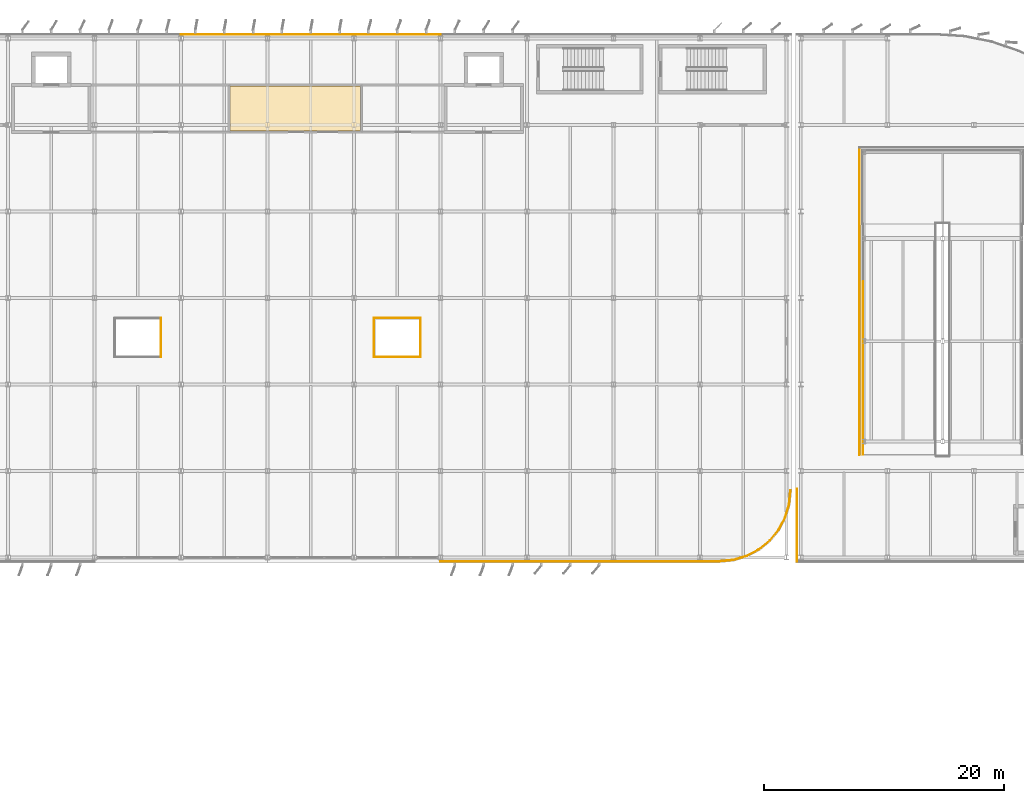
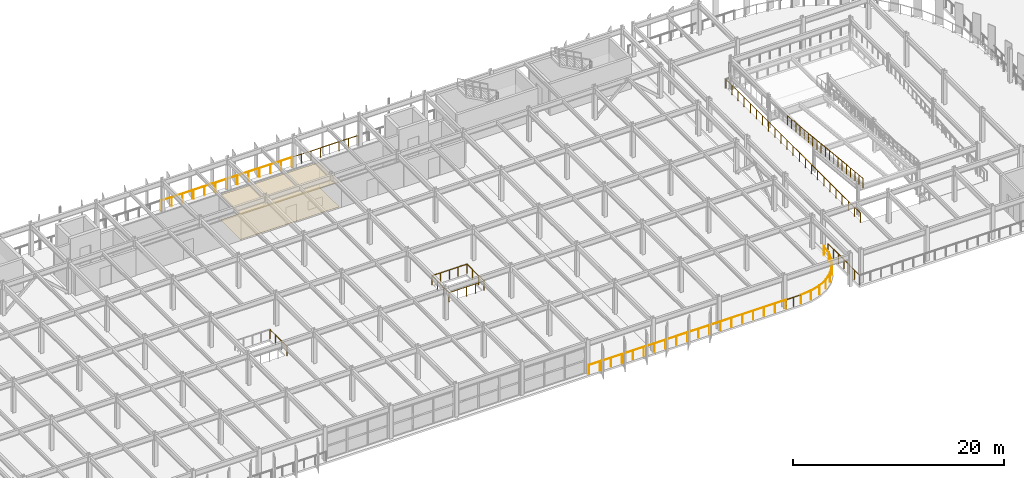
# One storey, part 46 of 52: 25 railings, 2 coverings.
"""IFC4 building model written with IfcOpenShell, lengths in metres."""

from ifc_helpers import new_model, si_unit, direction, frame, origin, origin_2d, place, context, subcontext, project, spatial, polyline, circle, outline, extrude, material, layer, layer_set, type_object, element, save


model = new_model("IFC4")

# Units and contexts
model_context = context("Model", 3, precision=1e-05, world=origin(), true_north=direction((0.0, 1.0)))
body_context = subcontext(model_context, "Body", "Model", "MODEL_VIEW")
ifc_project = project(units=[si_unit("LENGTHUNIT", "METRE"), si_unit("AREAUNIT", "SQUARE_METRE"), si_unit("VOLUMEUNIT", "CUBIC_METRE"), si_unit("PLANEANGLEUNIT", "RADIAN"), si_unit("MASSUNIT", "GRAM", prefix="KILO")], contexts=[model_context])

# Site, building, storey
site_placement = place(None, origin())
site = spatial("IfcSite", under=ifc_project, at=site_placement, CompositionType="ELEMENT")
building_placement = place(site_placement, origin())
building = spatial("IfcBuilding", under=site, at=building_placement, Name="Vaelcorin Mobility Hub", CompositionType="ELEMENT")
storey_placement = place(building_placement, frame((0.0, 0.0, 13.199951171875)))
storey = spatial("IfcBuildingStorey", under=building, at=storey_placement, Name="L03", CompositionType="ELEMENT", Elevation=13.199951171875)

# Coverings
ifc_material_1 = material(Name="Perforated acoustic mineral-fibre ceiling tile")
ifc_layer_1 = layer(ifc_material_1, 0.0380859375)
ifc_layer_set_1 = layer_set([ifc_layer_1], Name="Perforated acoustic mineral-fibre ceiling tile")
covering_type_1 = type_object("IfcCoveringType", Name="COV-CEIL-4", PredefinedType="CEILING", material=ifc_layer_set_1)
covering_1_placement = place(storey_placement, frame((0.0, 0.0, 2.8779296875)))
element("IfcCovering", 1, at=covering_1_placement, inside=storey, type_object=covering_type_1, Name="Roof-Bridge Sky Waiting Lounge Acoustic Ceiling", PredefinedType="CEILING", context=body_context, shape_type="SweptSolid", body=[
    extrude(outline(polyline([(76.139892578125, 112.280029296875), (76.134033203125, 112.280029296875), (76.1279296875, 112.281005859375), (76.123046875, 112.282958984375), (76.116943359375, 112.284912109375), (76.112060546875, 112.287109375), (76.10693359375, 112.2900390625), (76.10205078125, 112.2939453125), (76.097900390625, 112.298095703125), (76.093994140625, 112.302001953125), (76.090087890625, 112.306884765625), (76.0869140625, 112.31201171875), (76.0849609375, 112.31689453125), (76.0830078125, 112.322998046875), (76.0810546875, 112.327880859375), (76.080078125, 112.333984375), (76.080078125, 112.340087890625), (76.080078125, 115.985107421875), (76.080078125, 115.990966796875), (76.0810546875, 115.9970703125), (76.0830078125, 116.001953125), (76.0849609375, 116.008056640625), (76.0869140625, 116.012939453125), (76.090087890625, 116.01806640625), (76.093994140625, 116.02294921875), (76.097900390625, 116.027099609375), (76.10205078125, 116.031005859375), (76.10693359375, 116.034912109375), (76.112060546875, 116.0380859375), (76.116943359375, 116.0400390625), (76.123046875, 116.0419921875), (76.1279296875, 116.0439453125), (76.134033203125, 116.044921875), (76.139892578125, 116.044921875), (86.860107421875, 116.044921875), (86.865966796875, 116.044921875), (86.8720703125, 116.0439453125), (86.876953125, 116.0419921875), (86.883056640625, 116.0400390625), (86.887939453125, 116.0380859375), (86.89306640625, 116.034912109375), (86.89794921875, 116.031005859375), (86.902099609375, 116.027099609375), (86.906005859375, 116.02294921875), (86.909912109375, 116.01806640625), (86.9130859375, 116.012939453125), (86.9150390625, 116.008056640625), (86.9169921875, 116.001953125), (86.9189453125, 115.9970703125), (86.919921875, 115.990966796875), (86.919921875, 115.985107421875), (86.919921875, 112.340087890625), (86.919921875, 112.333984375), (86.9189453125, 112.327880859375), (86.9169921875, 112.322998046875), (86.9150390625, 112.31689453125), (86.9130859375, 112.31201171875), (86.909912109375, 112.306884765625), (86.906005859375, 112.302001953125), (86.902099609375, 112.298095703125), (86.89794921875, 112.2939453125), (86.89306640625, 112.2900390625), (86.887939453125, 112.287109375), (86.883056640625, 112.284912109375), (86.876953125, 112.282958984375), (86.8720703125, 112.281005859375), (86.865966796875, 112.280029296875), (86.860107421875, 112.280029296875), (76.139892578125, 112.280029296875)])), origin(), (0.0, 0.0, 1.0), 0.0380859375),
])
ifc_material_2 = material(Name="Polished epoxy-terrazzo concourse flooring")
ifc_layer_2 = layer(ifc_material_2, 0.02587890625)
ifc_layer_set_2 = layer_set([ifc_layer_2], Name="Polished epoxy-terrazzo concourse flooring")
covering_type_2 = type_object("IfcCoveringType", Name="COV-FLR-2", PredefinedType="FLOORING", material=ifc_layer_set_2)
covering_2_placement = place(storey_placement, origin())
element("IfcCovering", 2, at=covering_2_placement, inside=storey, type_object=covering_type_2, Name="Roof-Bridge Sky Waiting Lounge Finish Flooring", PredefinedType="FLOORING", context=body_context, shape_type="SweptSolid", body=[
    extrude(outline(polyline([(76.139892578125, 112.280029296875), (76.134033203125, 112.280029296875), (76.1279296875, 112.281005859375), (76.123046875, 112.282958984375), (76.116943359375, 112.284912109375), (76.112060546875, 112.287109375), (76.10693359375, 112.2900390625), (76.10205078125, 112.2939453125), (76.097900390625, 112.298095703125), (76.093994140625, 112.302001953125), (76.090087890625, 112.306884765625), (76.0869140625, 112.31201171875), (76.0849609375, 112.31689453125), (76.0830078125, 112.322998046875), (76.0810546875, 112.327880859375), (76.080078125, 112.333984375), (76.080078125, 112.340087890625), (76.080078125, 115.985107421875), (76.080078125, 115.990966796875), (76.0810546875, 115.9970703125), (76.0830078125, 116.001953125), (76.0849609375, 116.008056640625), (76.0869140625, 116.012939453125), (76.090087890625, 116.01806640625), (76.093994140625, 116.02294921875), (76.097900390625, 116.027099609375), (76.10205078125, 116.031005859375), (76.10693359375, 116.034912109375), (76.112060546875, 116.0380859375), (76.116943359375, 116.0400390625), (76.123046875, 116.0419921875), (76.1279296875, 116.0439453125), (76.134033203125, 116.044921875), (76.139892578125, 116.044921875), (86.860107421875, 116.044921875), (86.865966796875, 116.044921875), (86.8720703125, 116.0439453125), (86.876953125, 116.0419921875), (86.883056640625, 116.0400390625), (86.887939453125, 116.0380859375), (86.89306640625, 116.034912109375), (86.89794921875, 116.031005859375), (86.902099609375, 116.027099609375), (86.906005859375, 116.02294921875), (86.909912109375, 116.01806640625), (86.9130859375, 116.012939453125), (86.9150390625, 116.008056640625), (86.9169921875, 116.001953125), (86.9189453125, 115.9970703125), (86.919921875, 115.990966796875), (86.919921875, 115.985107421875), (86.919921875, 112.340087890625), (86.919921875, 112.333984375), (86.9189453125, 112.327880859375), (86.9169921875, 112.322998046875), (86.9150390625, 112.31689453125), (86.9130859375, 112.31201171875), (86.909912109375, 112.306884765625), (86.906005859375, 112.302001953125), (86.902099609375, 112.298095703125), (86.89794921875, 112.2939453125), (86.89306640625, 112.2900390625), (86.887939453125, 112.287109375), (86.883056640625, 112.284912109375), (86.876953125, 112.282958984375), (86.8720703125, 112.281005859375), (86.865966796875, 112.280029296875), (86.860107421875, 112.280029296875), (76.139892578125, 112.280029296875)])), origin(), (0.0, 0.0, 1.0), 0.026123046875),
])

# Railings
ifc_material_3 = material(Name="Galvanised structural steel ASTM A36", Category="steel")
ifc_layer_3 = layer(ifc_material_3, 0.070068359375)
ifc_layer_set_3 = layer_set([ifc_layer_3], Name="Galvanised structural steel ASTM A36")
railing_type = type_object("IfcRailingType", Name="RL-GUARD-1100", PredefinedType="BALUSTRADE", material=ifc_layer_set_3)
for number, where, name in (
    (3, (72.0, 120.330078125, 0.0), "L03 Perimeter Guard GR-V4-L03-N-06-01"),
    (4, (79.199951171875, 120.330078125, 0.0), "L03 Perimeter Guard GR-V4-L03-N-07-01"),
):
    element("IfcRailing", number, at=place(storey_placement, frame(where)), inside=storey, type_object=railing_type, Name=name, PredefinedType="BALUSTRADE", context=body_context, shape_type="SweptSolid", body=[
        extrude(circle(Radius=0.02392578125, at=origin_2d()), frame((0.0, 0.0, 1.076171875), z_axis=(1.0, 0.0, 0.0), x_axis=(0.0, 1.0, 0.0)), (0.0, 0.0, 1.0), 7.199951171875),
        extrude(circle(Radius=0.02099609375, at=origin_2d()), origin(), (0.0, 0.0, 1.0), 1.052001953125),
        extrude(circle(Radius=0.02099609375, at=origin_2d()), frame((1.199951171875, 0.0, 0.0)), (0.0, 0.0, 1.0), 1.052001953125),
        extrude(circle(Radius=0.02099609375, at=origin_2d()), frame((2.39990234375, 0.0, 0.0)), (0.0, 0.0, 1.0), 1.052001953125),
        extrude(circle(Radius=0.02099609375, at=origin_2d()), frame((3.60009765625, 0.0, 0.0)), (0.0, 0.0, 1.0), 1.052001953125),
        extrude(circle(Radius=0.02099609375, at=origin_2d()), frame((4.800048828125, 0.0, 0.0)), (0.0, 0.0, 1.0), 1.052001953125),
        extrude(circle(Radius=0.02099609375, at=origin_2d()), frame((6.0, 0.0, 0.0)), (0.0, 0.0, 1.0), 1.052001953125),
        extrude(circle(Radius=0.02099609375, at=origin_2d()), frame((7.199951171875, 0.0, 0.0)), (0.0, 0.0, 1.0), 1.052001953125),
    ])
railing_1_placement = place(storey_placement, frame((86.39990234375, 120.330078125, 0.0)))
element("IfcRailing", 5, at=railing_1_placement, inside=storey, type_object=railing_type, Name="L03 Perimeter Guard GR-V4-L03-N-08-01", PredefinedType="BALUSTRADE", context=body_context, shape_type="SweptSolid", body=[
    extrude(circle(Radius=0.02392578125, at=origin_2d()), frame((0.0, 0.0, 1.076171875), z_axis=(1.0, 0.0, 0.0), x_axis=(0.0, 1.0, 0.0)), (0.0, 0.0, 1.0), 7.2001953125),
    extrude(circle(Radius=0.02099609375, at=origin_2d()), origin(), (0.0, 0.0, 1.0), 1.052001953125),
    extrude(circle(Radius=0.02099609375, at=origin_2d()), frame((1.028564453125, 0.0, 0.0)), (0.0, 0.0, 1.0), 1.052001953125),
    extrude(circle(Radius=0.02099609375, at=origin_2d()), frame((2.05712890625, 0.0, 0.0)), (0.0, 0.0, 1.0), 1.052001953125),
    extrude(circle(Radius=0.02099609375, at=origin_2d()), frame((3.085693359375, 0.0, 0.0)), (0.0, 0.0, 1.0), 1.052001953125),
    extrude(circle(Radius=0.02099609375, at=origin_2d()), frame((4.114501953125, 0.0, 0.0)), (0.0, 0.0, 1.0), 1.052001953125),
    extrude(circle(Radius=0.02099609375, at=origin_2d()), frame((5.14306640625, 0.0, 0.0)), (0.0, 0.0, 1.0), 1.052001953125),
    extrude(circle(Radius=0.02099609375, at=origin_2d()), frame((6.171630859375, 0.0, 0.0)), (0.0, 0.0, 1.0), 1.052001953125),
    extrude(circle(Radius=0.02099609375, at=origin_2d()), frame((7.2001953125, 0.0, 0.0)), (0.0, 0.0, 1.0), 1.052001953125),
])
for number, where, name in (
    (6, (93.60009765625, 76.469970703125, 0.0), "L03 Perimeter Guard GR-V4-L03-S-09-01"),
    (7, (100.800048828125, 76.469970703125, 0.0), "L03 Perimeter Guard GR-V4-L03-S-10-01"),
    (8, (108.0, 76.469970703125, 0.0), "L03 Perimeter Guard GR-V4-L03-S-11-01"),
):
    element("IfcRailing", number, at=place(storey_placement, frame(where)), inside=storey, type_object=railing_type, Name=name, PredefinedType="BALUSTRADE", context=body_context, shape_type="SweptSolid", body=[
        extrude(circle(Radius=0.02392578125, at=origin_2d()), frame((0.0, 0.0, 1.076171875), z_axis=(1.0, 0.0, 0.0), x_axis=(0.0, 1.0, 0.0)), (0.0, 0.0, 1.0), 7.199951171875),
        extrude(circle(Radius=0.02099609375, at=origin_2d()), origin(), (0.0, 0.0, 1.0), 1.052001953125),
        extrude(circle(Radius=0.02099609375, at=origin_2d()), frame((1.199951171875, 0.0, 0.0)), (0.0, 0.0, 1.0), 1.052001953125),
        extrude(circle(Radius=0.02099609375, at=origin_2d()), frame((2.39990234375, 0.0, 0.0)), (0.0, 0.0, 1.0), 1.052001953125),
        extrude(circle(Radius=0.02099609375, at=origin_2d()), frame((3.60009765625, 0.0, 0.0)), (0.0, 0.0, 1.0), 1.052001953125),
        extrude(circle(Radius=0.02099609375, at=origin_2d()), frame((4.800048828125, 0.0, 0.0)), (0.0, 0.0, 1.0), 1.052001953125),
        extrude(circle(Radius=0.02099609375, at=origin_2d()), frame((6.0, 0.0, 0.0)), (0.0, 0.0, 1.0), 1.052001953125),
        extrude(circle(Radius=0.02099609375, at=origin_2d()), frame((7.199951171875, 0.0, 0.0)), (0.0, 0.0, 1.0), 1.052001953125),
    ])
railing_2_placement = place(storey_placement, frame((115.199951171875, 76.469970703125, 0.0)))
element("IfcRailing", 9, at=railing_2_placement, inside=storey, type_object=railing_type, Name="L03 Perimeter Guard GR-V4-L03-S-12-01", PredefinedType="BALUSTRADE", context=body_context, shape_type="SweptSolid", body=[
    extrude(circle(Radius=0.02392578125, at=origin_2d()), frame((0.0, 0.0, 1.076171875), z_axis=(1.0, 0.0, 0.0), x_axis=(0.0, 1.0, 0.0)), (0.0, 0.0, 1.0), 1.650146484375),
    extrude(circle(Radius=0.02099609375, at=origin_2d()), origin(), (0.0, 0.0, 1.0), 1.052001953125),
    extrude(circle(Radius=0.02099609375, at=origin_2d()), frame((0.8251953125, 0.0, 0.0)), (0.0, 0.0, 1.0), 1.052001953125),
    extrude(circle(Radius=0.02099609375, at=origin_2d()), frame((1.650146484375, 0.0, 0.0)), (0.0, 0.0, 1.0), 1.052001953125),
])
railing_3_placement = place(storey_placement, frame((116.85009765625, 76.469970703125, 0.0)))
element("IfcRailing", 10, at=railing_3_placement, inside=storey, type_object=railing_type, Name="L03 Perimeter Guard GR-V4-L03-S-12-02", PredefinedType="BALUSTRADE", context=body_context, shape_type="SweptSolid", body=[
    extrude(circle(Radius=0.02392578125, at=origin_2d()), frame((0.0, 0.0, 1.076171875), z_axis=(0.995178786561, 0.098077432562, 0.0), x_axis=(-0.098077432562, 0.995178786561, 0.0)), (0.0, 0.0, 1.0), 1.152587890625),
    extrude(circle(Radius=0.02099609375, at=origin_2d()), origin(), (0.0, 0.0, 1.0), 1.052001953125),
    extrude(circle(Radius=0.02099609375, at=origin_2d()), frame((1.14697265625, 0.113037109375, 0.0)), (0.0, 0.0, 1.0), 1.052001953125),
])
railing_4_placement = place(storey_placement, frame((117.9970703125, 76.5830078125, 0.0)))
element("IfcRailing", 11, at=railing_4_placement, inside=storey, type_object=railing_type, Name="L03 Perimeter Guard GR-V4-L03-S-12-03", PredefinedType="BALUSTRADE", context=body_context, shape_type="SweptSolid", body=[
    extrude(circle(Radius=0.02392578125, at=origin_2d()), frame((0.0, 0.0, 1.076171875), z_axis=(0.956853241075, 0.290571634961, 0.0), x_axis=(-0.290571634961, 0.956853241075, 0.0)), (0.0, 0.0, 1.0), 1.15283203125),
    extrude(circle(Radius=0.02099609375, at=origin_2d()), origin(), (0.0, 0.0, 1.0), 1.052001953125),
    extrude(circle(Radius=0.02099609375, at=origin_2d()), frame((1.10302734375, 0.3349609375, 0.0)), (0.0, 0.0, 1.0), 1.052001953125),
])
railing_5_placement = place(storey_placement, frame((119.10009765625, 76.91796875, 0.0)))
element("IfcRailing", 12, at=railing_5_placement, inside=storey, type_object=railing_type, Name="L03 Perimeter Guard GR-V4-L03-S-12-04", PredefinedType="BALUSTRADE", context=body_context, shape_type="SweptSolid", body=[
    extrude(circle(Radius=0.02392578125, at=origin_2d()), frame((0.0, 0.0, 1.076171875), z_axis=(0.882118320208, 0.471027885749, 0.0), x_axis=(-0.471027885749, 0.882118320208, 0.0)), (0.0, 0.0, 1.0), 1.15283203125),
    extrude(circle(Radius=0.02099609375, at=origin_2d()), origin(), (0.0, 0.0, 1.0), 1.052001953125),
    extrude(circle(Radius=0.02099609375, at=origin_2d()), frame((1.016845703125, 0.54296875, 0.0)), (0.0, 0.0, 1.0), 1.052001953125),
])
railing_6_placement = place(storey_placement, frame((120.116943359375, 77.4609375, 0.0)))
element("IfcRailing", 13, at=railing_6_placement, inside=storey, type_object=railing_type, Name="L03 Perimeter Guard GR-V4-L03-S-12-05", PredefinedType="BALUSTRADE", context=body_context, shape_type="SweptSolid", body=[
    extrude(circle(Radius=0.02392578125, at=origin_2d()), frame((0.0, 0.0, 1.076171875), z_axis=(0.773163919145, 0.63420623943, 0.0), x_axis=(-0.63420623943, 0.773163919145, 0.0)), (0.0, 0.0, 1.0), 1.152587890625),
    extrude(circle(Radius=0.02099609375, at=origin_2d()), origin(), (0.0, 0.0, 1.0), 1.052001953125),
    extrude(circle(Radius=0.02099609375, at=origin_2d()), frame((0.89111328125, 0.73095703125, 0.0)), (0.0, 0.0, 1.0), 1.052001953125),
])
railing_7_placement = place(storey_placement, frame((121.008056640625, 78.19189453125, 0.0)))
element("IfcRailing", 14, at=railing_7_placement, inside=storey, type_object=railing_type, Name="L03 Perimeter Guard GR-V4-L03-S-12-06", PredefinedType="BALUSTRADE", context=body_context, shape_type="SweptSolid", body=[
    extrude(circle(Radius=0.02392578125, at=origin_2d()), frame((0.0, 0.0, 1.076171875), z_axis=(0.63420623943, 0.773163919145, 0.0), x_axis=(-0.773163919145, 0.63420623943, 0.0)), (0.0, 0.0, 1.0), 1.152587890625),
    extrude(circle(Radius=0.02099609375, at=origin_2d()), origin(), (0.0, 0.0, 1.0), 1.052001953125),
    extrude(circle(Radius=0.02099609375, at=origin_2d()), frame((0.73095703125, 0.89111328125, 0.0)), (0.0, 0.0, 1.0), 1.052001953125),
])
railing_8_placement = place(storey_placement, frame((121.739013671875, 79.0830078125, 0.0)))
element("IfcRailing", 15, at=railing_8_placement, inside=storey, type_object=railing_type, Name="L03 Perimeter Guard GR-V4-L03-S-12-07", PredefinedType="BALUSTRADE", context=body_context, shape_type="SweptSolid", body=[
    extrude(circle(Radius=0.02392578125, at=origin_2d()), frame((0.0, 0.0, 1.076171875), z_axis=(0.470939899312, 0.882165297003, 0.0), x_axis=(-0.882165297003, 0.470939899312, 0.0)), (0.0, 0.0, 1.0), 1.15283203125),
    extrude(circle(Radius=0.02099609375, at=origin_2d()), origin(), (0.0, 0.0, 1.0), 1.052001953125),
    extrude(circle(Radius=0.02099609375, at=origin_2d()), frame((0.54296875, 1.01708984375, 0.0)), (0.0, 0.0, 1.0), 1.052001953125),
])
railing_9_placement = place(storey_placement, frame((122.281982421875, 80.10009765625, 0.0)))
element("IfcRailing", 16, at=railing_9_placement, inside=storey, type_object=railing_type, Name="L03 Perimeter Guard GR-V4-L03-S-12-08", PredefinedType="BALUSTRADE", context=body_context, shape_type="SweptSolid", body=[
    extrude(circle(Radius=0.02392578125, at=origin_2d()), frame((0.0, 0.0, 1.076171875), z_axis=(0.290630530394, 0.956835354073, 0.0), x_axis=(-0.956835354073, 0.290630530394, 0.0)), (0.0, 0.0, 1.0), 1.152587890625),
    extrude(circle(Radius=0.02099609375, at=origin_2d()), origin(), (0.0, 0.0, 1.0), 1.052001953125),
    extrude(circle(Radius=0.02099609375, at=origin_2d()), frame((0.3349609375, 1.102783203125, 0.0)), (0.0, 0.0, 1.0), 1.052001953125),
])
railing_10_placement = place(storey_placement, frame((122.616943359375, 81.202880859375, 0.0)))
element("IfcRailing", 17, at=railing_10_placement, inside=storey, type_object=railing_type, Name="L03 Perimeter Guard GR-V4-L03-S-12-09", PredefinedType="BALUSTRADE", context=body_context, shape_type="SweptSolid", body=[
    extrude(circle(Radius=0.02392578125, at=origin_2d()), frame((0.0, 0.0, 1.076171875), z_axis=(0.098056761291, 0.995180823552, 0.0), x_axis=(-0.995180823552, 0.098056761291, 0.0)), (0.0, 0.0, 1.0), 1.15283203125),
    extrude(circle(Radius=0.02099609375, at=origin_2d()), origin(), (0.0, 0.0, 1.0), 1.052001953125),
    extrude(circle(Radius=0.02099609375, at=origin_2d()), frame((0.113037109375, 1.147216796875, 0.0)), (0.0, 0.0, 1.0), 1.052001953125),
])
railing_11_placement = place(storey_placement, frame((70.320068359375, 93.47998046875, 0.0)))
element("IfcRailing", 18, at=railing_11_placement, inside=storey, type_object=railing_type, Name="L03 Perimeter Guard GR-V4-L03-LW1-02", PredefinedType="BALUSTRADE", context=body_context, shape_type="SweptSolid", body=[
    extrude(circle(Radius=0.02392578125, at=origin_2d()), frame((0.0, 0.0, 1.076171875), z_axis=(0.0, 1.0, 0.0), x_axis=(-1.0, 0.0, 0.0)), (0.0, 0.0, 1.0), 3.239990234375),
    extrude(circle(Radius=0.02099609375, at=origin_2d()), origin(), (0.0, 0.0, 1.0), 1.052001953125),
    extrude(circle(Radius=0.02099609375, at=origin_2d()), frame((0.0, 1.080078125, 0.0)), (0.0, 0.0, 1.0), 1.052001953125),
    extrude(circle(Radius=0.02099609375, at=origin_2d()), frame((0.0, 2.159912109375, 0.0)), (0.0, 0.0, 1.0), 1.052001953125),
    extrude(circle(Radius=0.02099609375, at=origin_2d()), frame((0.0, 3.239990234375, 0.0)), (0.0, 0.0, 1.0), 1.052001953125),
])
railing_12_placement = place(storey_placement, frame((88.080078125, 93.47998046875, 0.0)))
element("IfcRailing", 19, at=railing_12_placement, inside=storey, type_object=railing_type, Name="L03 Perimeter Guard GR-V4-L03-LW2-01", PredefinedType="BALUSTRADE", context=body_context, shape_type="SweptSolid", body=[
    extrude(circle(Radius=0.02392578125, at=origin_2d()), frame((0.0, 0.0, 1.076171875), z_axis=(1.0, 0.0, 0.0), x_axis=(0.0, 1.0, 0.0)), (0.0, 0.0, 1.0), 3.83984375),
    extrude(circle(Radius=0.02099609375, at=origin_2d()), origin(), (0.0, 0.0, 1.0), 1.052001953125),
    extrude(circle(Radius=0.02099609375, at=origin_2d()), frame((0.9599609375, 0.0, 0.0)), (0.0, 0.0, 1.0), 1.052001953125),
    extrude(circle(Radius=0.02099609375, at=origin_2d()), frame((1.919921875, 0.0, 0.0)), (0.0, 0.0, 1.0), 1.052001953125),
    extrude(circle(Radius=0.02099609375, at=origin_2d()), frame((2.8798828125, 0.0, 0.0)), (0.0, 0.0, 1.0), 1.052001953125),
    extrude(circle(Radius=0.02099609375, at=origin_2d()), frame((3.83984375, 0.0, 0.0)), (0.0, 0.0, 1.0), 1.052001953125),
])
railing_13_placement = place(storey_placement, frame((91.919921875, 93.47998046875, 0.0)))
element("IfcRailing", 20, at=railing_13_placement, inside=storey, type_object=railing_type, Name="L03 Perimeter Guard GR-V4-L03-LW2-02", PredefinedType="BALUSTRADE", context=body_context, shape_type="SweptSolid", body=[
    extrude(circle(Radius=0.02392578125, at=origin_2d()), frame((0.0, 0.0, 1.076171875), z_axis=(0.0, 1.0, 0.0), x_axis=(-1.0, 0.0, 0.0)), (0.0, 0.0, 1.0), 3.239990234375),
    extrude(circle(Radius=0.02099609375, at=origin_2d()), origin(), (0.0, 0.0, 1.0), 1.052001953125),
    extrude(circle(Radius=0.02099609375, at=origin_2d()), frame((0.0, 1.080078125, 0.0)), (0.0, 0.0, 1.0), 1.052001953125),
    extrude(circle(Radius=0.02099609375, at=origin_2d()), frame((0.0, 2.159912109375, 0.0)), (0.0, 0.0, 1.0), 1.052001953125),
    extrude(circle(Radius=0.02099609375, at=origin_2d()), frame((0.0, 3.239990234375, 0.0)), (0.0, 0.0, 1.0), 1.052001953125),
])
railing_14_placement = place(storey_placement, frame((91.919921875, 96.719970703125, 0.0)))
element("IfcRailing", 21, at=railing_14_placement, inside=storey, type_object=railing_type, Name="L03 Perimeter Guard GR-V4-L03-LW2-03", PredefinedType="BALUSTRADE", context=body_context, shape_type="SweptSolid", body=[
    extrude(circle(Radius=0.02392578125, at=origin_2d()), frame((0.0, 0.0, 1.076171875), z_axis=(-1.0, 0.0, 0.0), x_axis=(0.0, -1.0, 0.0)), (0.0, 0.0, 1.0), 3.83984375),
    extrude(circle(Radius=0.02099609375, at=origin_2d()), origin(), (0.0, 0.0, 1.0), 1.052001953125),
    extrude(circle(Radius=0.02099609375, at=origin_2d()), frame((-0.9599609375, 0.0, 0.0)), (0.0, 0.0, 1.0), 1.052001953125),
    extrude(circle(Radius=0.02099609375, at=origin_2d()), frame((-1.919921875, 0.0, 0.0)), (0.0, 0.0, 1.0), 1.052001953125),
    extrude(circle(Radius=0.02099609375, at=origin_2d()), frame((-2.8798828125, 0.0, 0.0)), (0.0, 0.0, 1.0), 1.052001953125),
    extrude(circle(Radius=0.02099609375, at=origin_2d()), frame((-3.83984375, 0.0, 0.0)), (0.0, 0.0, 1.0), 1.052001953125),
])
railing_15_placement = place(storey_placement, frame((88.080078125, 96.719970703125, 0.0)))
element("IfcRailing", 22, at=railing_15_placement, inside=storey, type_object=railing_type, Name="L03 Perimeter Guard GR-V4-L03-LW2-04", PredefinedType="BALUSTRADE", context=body_context, shape_type="SweptSolid", body=[
    extrude(circle(Radius=0.02392578125, at=origin_2d()), frame((0.0, 0.0, 1.076171875), z_axis=(0.0, -1.0, 0.0), x_axis=(1.0, 0.0, 0.0)), (0.0, 0.0, 1.0), 3.239990234375),
    extrude(circle(Radius=0.02099609375, at=origin_2d()), origin(), (0.0, 0.0, 1.0), 1.052001953125),
    extrude(circle(Radius=0.02099609375, at=origin_2d()), frame((0.0, -1.080078125, 0.0)), (0.0, 0.0, 1.0), 1.052001953125),
    extrude(circle(Radius=0.02099609375, at=origin_2d()), frame((0.0, -2.159912109375, 0.0)), (0.0, 0.0, 1.0), 1.052001953125),
    extrude(circle(Radius=0.02099609375, at=origin_2d()), frame((0.0, -3.239990234375, 0.0)), (0.0, 0.0, 1.0), 1.052001953125),
])
railing_16_placement = place(storey_placement, frame((128.47998046875, 85.340087890625, 0.0)))
element("IfcRailing", 23, at=railing_16_placement, inside=storey, type_object=railing_type, Name="L03 Perimeter Guard GR-V2E-L03-WELL-01", PredefinedType="BALUSTRADE", context=body_context, shape_type="SweptSolid", body=[
    extrude(circle(Radius=0.02392578125, at=origin_2d()), frame((0.0, 0.0, 1.076171875), z_axis=(0.0, 1.0, 0.0), x_axis=(-1.0, 0.0, 0.0)), (0.0, 0.0, 1.0), 25.579833984375),
    extrude(circle(Radius=0.02099609375, at=origin_2d()), origin(), (0.0, 0.0, 1.0), 1.052001953125),
    extrude(circle(Radius=0.02099609375, at=origin_2d()), frame((0.0, 1.16259765625, 0.0)), (0.0, 0.0, 1.0), 1.052001953125),
    extrude(circle(Radius=0.02099609375, at=origin_2d()), frame((0.0, 2.325439453125, 0.0)), (0.0, 0.0, 1.0), 1.052001953125),
    extrude(circle(Radius=0.02099609375, at=origin_2d()), frame((0.0, 3.488037109375, 0.0)), (0.0, 0.0, 1.0), 1.052001953125),
    extrude(circle(Radius=0.02099609375, at=origin_2d()), frame((0.0, 4.65087890625, 0.0)), (0.0, 0.0, 1.0), 1.052001953125),
    extrude(circle(Radius=0.02099609375, at=origin_2d()), frame((0.0, 5.8134765625, 0.0)), (0.0, 0.0, 1.0), 1.052001953125),
    extrude(circle(Radius=0.02099609375, at=origin_2d()), frame((0.0, 6.976318359375, 0.0)), (0.0, 0.0, 1.0), 1.052001953125),
    extrude(circle(Radius=0.02099609375, at=origin_2d()), frame((0.0, 8.13916015625, 0.0)), (0.0, 0.0, 1.0), 1.052001953125),
    extrude(circle(Radius=0.02099609375, at=origin_2d()), frame((0.0, 9.3017578125, 0.0)), (0.0, 0.0, 1.0), 1.052001953125),
    extrude(circle(Radius=0.02099609375, at=origin_2d()), frame((0.0, 10.46435546875, 0.0)), (0.0, 0.0, 1.0), 1.052001953125),
    extrude(circle(Radius=0.02099609375, at=origin_2d()), frame((0.0, 11.627197265625, 0.0)), (0.0, 0.0, 1.0), 1.052001953125),
    extrude(circle(Radius=0.02099609375, at=origin_2d()), frame((0.0, 12.7900390625, 0.0)), (0.0, 0.0, 1.0), 1.052001953125),
    extrude(circle(Radius=0.02099609375, at=origin_2d()), frame((0.0, 13.95263671875, 0.0)), (0.0, 0.0, 1.0), 1.052001953125),
    extrude(circle(Radius=0.02099609375, at=origin_2d()), frame((0.0, 15.115234375, 0.0)), (0.0, 0.0, 1.0), 1.052001953125),
    extrude(circle(Radius=0.02099609375, at=origin_2d()), frame((0.0, 16.278076171875, 0.0)), (0.0, 0.0, 1.0), 1.052001953125),
    extrude(circle(Radius=0.02099609375, at=origin_2d()), frame((0.0, 17.44091796875, 0.0)), (0.0, 0.0, 1.0), 1.052001953125),
    extrude(circle(Radius=0.02099609375, at=origin_2d()), frame((0.0, 18.603515625, 0.0)), (0.0, 0.0, 1.0), 1.052001953125),
    extrude(circle(Radius=0.02099609375, at=origin_2d()), frame((0.0, 19.76611328125, 0.0)), (0.0, 0.0, 1.0), 1.052001953125),
    extrude(circle(Radius=0.02099609375, at=origin_2d()), frame((0.0, 20.928955078125, 0.0)), (0.0, 0.0, 1.0), 1.052001953125),
    extrude(circle(Radius=0.02099609375, at=origin_2d()), frame((0.0, 22.091796875, 0.0)), (0.0, 0.0, 1.0), 1.052001953125),
    extrude(circle(Radius=0.02099609375, at=origin_2d()), frame((0.0, 23.25439453125, 0.0)), (0.0, 0.0, 1.0), 1.052001953125),
    extrude(circle(Radius=0.02099609375, at=origin_2d()), frame((0.0, 24.4169921875, 0.0)), (0.0, 0.0, 1.0), 1.052001953125),
    extrude(circle(Radius=0.02099609375, at=origin_2d()), frame((0.0, 25.579833984375, 0.0)), (0.0, 0.0, 1.0), 1.052001953125),
])
railing_17_placement = place(storey_placement, frame((128.780029296875, 99.7451171875, 2.43798828125)))
element("IfcRailing", 24, at=railing_17_placement, inside=storey, type_object=railing_type, Name="L03 Ramp Guard GR-V2E-L03-FL2-W-02", PredefinedType="BALUSTRADE", context=body_context, shape_type="SweptSolid", body=[
    extrude(circle(Radius=0.02392578125, at=origin_2d()), frame((0.0, 0.0, 1.076171875), z_axis=(0.0, -0.994881014515, 0.101053287712), x_axis=(1.0, 0.0, 0.0)), (0.0, 0.0, 1.0), 4.81982421875),
    extrude(circle(Radius=0.02099609375, at=origin_2d()), origin(), (0.0, 0.0, 1.0), 1.052001953125),
    extrude(circle(Radius=0.02099609375, at=origin_2d()), frame((0.0, -0.79931640625, 0.0810546875)), (0.0, 0.0, 1.0), 1.052001953125),
    extrude(circle(Radius=0.02099609375, at=origin_2d()), frame((0.0, -1.598388671875, 0.162353515625)), (0.0, 0.0, 1.0), 1.052001953125),
    extrude(circle(Radius=0.02099609375, at=origin_2d()), frame((0.0, -2.3974609375, 0.24365234375)), (0.0, 0.0, 1.0), 1.052001953125),
    extrude(circle(Radius=0.02099609375, at=origin_2d()), frame((0.0, -3.19677734375, 0.32470703125)), (0.0, 0.0, 1.0), 1.052001953125),
    extrude(circle(Radius=0.02099609375, at=origin_2d()), frame((0.0, -3.99609375, 0.40576171875)), (0.0, 0.0, 1.0), 1.052001953125),
    extrude(circle(Radius=0.02099609375, at=origin_2d()), frame((0.0, -4.795166015625, 0.487060546875)), (0.0, 0.0, 1.0), 1.052001953125),
])
railing_18_placement = place(storey_placement, frame((128.780029296875, 94.949951171875, 2.925048828125)))
element("IfcRailing", 25, at=railing_18_placement, inside=storey, type_object=railing_type, Name="L03 Ramp Guard GR-V2E-L03-FL2-W-03", PredefinedType="BALUSTRADE", context=body_context, shape_type="SweptSolid", body=[
    extrude(circle(Radius=0.02392578125, at=origin_2d()), frame((0.0, 0.0, 1.076171875), z_axis=(0.0, -0.994880497217, 0.101058380445), x_axis=(1.0, 0.0, 0.0)), (0.0, 0.0, 1.0), 4.819580078125),
    extrude(circle(Radius=0.02099609375, at=origin_2d()), origin(), (0.0, 0.0, 1.0), 1.052001953125),
    extrude(circle(Radius=0.02099609375, at=origin_2d()), frame((0.0, -0.799072265625, 0.0810546875)), (0.0, 0.0, 1.0), 1.052001953125),
    extrude(circle(Radius=0.02099609375, at=origin_2d()), frame((0.0, -1.598388671875, 0.162353515625)), (0.0, 0.0, 1.0), 1.052001953125),
    extrude(circle(Radius=0.02099609375, at=origin_2d()), frame((0.0, -2.3974609375, 0.24365234375)), (0.0, 0.0, 1.0), 1.052001953125),
    extrude(circle(Radius=0.02099609375, at=origin_2d()), frame((0.0, -3.196533203125, 0.32470703125)), (0.0, 0.0, 1.0), 1.052001953125),
    extrude(circle(Radius=0.02099609375, at=origin_2d()), frame((0.0, -3.995849609375, 0.40576171875)), (0.0, 0.0, 1.0), 1.052001953125),
    extrude(circle(Radius=0.02099609375, at=origin_2d()), frame((0.0, -4.794921875, 0.487060546875)), (0.0, 0.0, 1.0), 1.052001953125),
])
railing_19_placement = place(storey_placement, frame((128.780029296875, 90.155029296875, 3.412109375)))
element("IfcRailing", 26, at=railing_19_placement, inside=storey, type_object=railing_type, Name="L03 Ramp Guard GR-V2E-L03-FL2-W-04", PredefinedType="BALUSTRADE", context=body_context, shape_type="SweptSolid", body=[
    extrude(circle(Radius=0.02392578125, at=origin_2d()), frame((0.0, 0.0, 1.076171875), z_axis=(0.0, -0.994860105467, 0.10125892825), x_axis=(1.0, 0.0, 0.0)), (0.0, 0.0, 1.0), 4.819580078125),
    extrude(circle(Radius=0.02099609375, at=origin_2d()), origin(), (0.0, 0.0, 1.0), 1.052001953125),
    extrude(circle(Radius=0.02099609375, at=origin_2d()), frame((0.0, -0.799072265625, 0.081298828125)), (0.0, 0.0, 1.0), 1.052001953125),
    extrude(circle(Radius=0.02099609375, at=origin_2d()), frame((0.0, -1.598388671875, 0.16259765625)), (0.0, 0.0, 1.0), 1.052001953125),
    extrude(circle(Radius=0.02099609375, at=origin_2d()), frame((0.0, -2.3974609375, 0.244140625)), (0.0, 0.0, 1.0), 1.052001953125),
    extrude(circle(Radius=0.02099609375, at=origin_2d()), frame((0.0, -3.196533203125, 0.325439453125)), (0.0, 0.0, 1.0), 1.052001953125),
    extrude(circle(Radius=0.02099609375, at=origin_2d()), frame((0.0, -3.995849609375, 0.40673828125)), (0.0, 0.0, 1.0), 1.052001953125),
    extrude(circle(Radius=0.02099609375, at=origin_2d()), frame((0.0, -4.794921875, 0.488037109375)), (0.0, 0.0, 1.0), 1.052001953125),
])
railing_20_placement = place(storey_placement, frame((123.27001953125, 76.469970703125, 0.0)))
element("IfcRailing", 27, at=railing_20_placement, inside=storey, type_object=railing_type, Name="L03 Perimeter Guard GR-V2E-L03-16", PredefinedType="BALUSTRADE", context=body_context, shape_type="SweptSolid", body=[
    extrude(circle(Radius=0.02392578125, at=origin_2d()), frame((0.0, 0.0, 1.076171875), z_axis=(0.0, 1.0, 0.0), x_axis=(-1.0, 0.0, 0.0)), (0.0, 0.0, 1.0), 6.030029296875),
    extrude(circle(Radius=0.02099609375, at=origin_2d()), origin(), (0.0, 0.0, 1.0), 1.052001953125),
    extrude(circle(Radius=0.02099609375, at=origin_2d()), frame((0.0, 1.0048828125, 0.0)), (0.0, 0.0, 1.0), 1.052001953125),
    extrude(circle(Radius=0.02099609375, at=origin_2d()), frame((0.0, 2.010009765625, 0.0)), (0.0, 0.0, 1.0), 1.052001953125),
    extrude(circle(Radius=0.02099609375, at=origin_2d()), frame((0.0, 3.01513671875, 0.0)), (0.0, 0.0, 1.0), 1.052001953125),
    extrude(circle(Radius=0.02099609375, at=origin_2d()), frame((0.0, 4.02001953125, 0.0)), (0.0, 0.0, 1.0), 1.052001953125),
    extrude(circle(Radius=0.02099609375, at=origin_2d()), frame((0.0, 5.02490234375, 0.0)), (0.0, 0.0, 1.0), 1.052001953125),
    extrude(circle(Radius=0.02099609375, at=origin_2d()), frame((0.0, 6.030029296875, 0.0)), (0.0, 0.0, 1.0), 1.052001953125),
])

save(model, "model.ifc")
